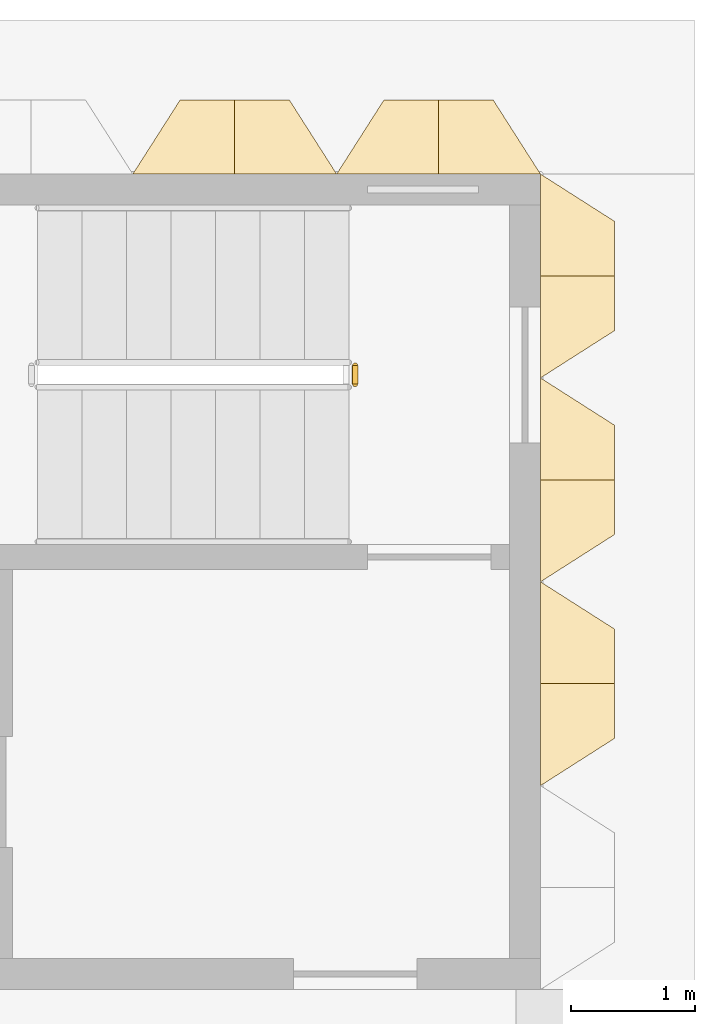
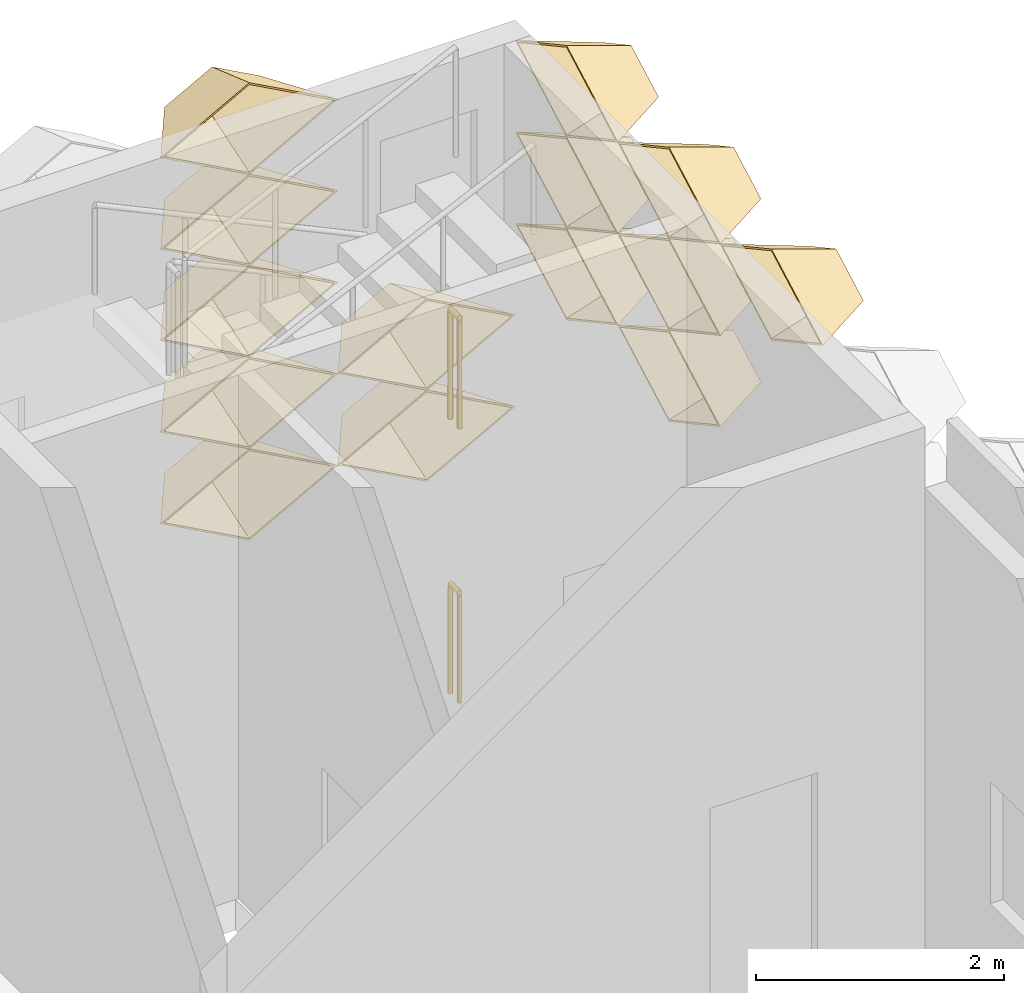
# One storey, part 84 of 85: 14 coverings, 2 railings.
"""IFC4 building model written with IfcOpenShell, lengths in metres."""

from ifc_helpers import new_model, entity, si_unit, direction, frame, origin, origin_2d, place, context, subcontext, project, spatial, circle, extrude, material, layer, layer_set, type_object, element, save


model = new_model("IFC4")

# Units and contexts
model_context = context("Model", 3, precision=1e-05, world=origin(), true_north=direction((0.0, 1.0)))
body_context = subcontext(model_context, "Body", "Model", "MODEL_VIEW")
ifc_project = project(units=[si_unit("LENGTHUNIT", "METRE"), si_unit("AREAUNIT", "SQUARE_METRE"), si_unit("VOLUMEUNIT", "CUBIC_METRE"), si_unit("PLANEANGLEUNIT", "RADIAN"), si_unit("MASSUNIT", "GRAM", prefix="KILO")], contexts=[model_context])

# Site, building, storey
site_placement = place(None, origin())
site = spatial("IfcSite", under=ifc_project, at=site_placement, CompositionType="ELEMENT")
building_placement = place(site_placement, origin())
building = spatial("IfcBuilding", under=site, at=building_placement, Name="Lantern Court Research Institute", CompositionType="ELEMENT")
storey_placement = place(building_placement, origin())
storey = spatial("IfcBuildingStorey", under=building, at=storey_placement, Name="L00", CompositionType="ELEMENT", Elevation=0.0)

# Coverings
ifc_material_1 = material(Name="Anodised aluminium", Category="aluminium")
ifc_layer = layer(ifc_material_1, 0.01611328125)
ifc_layer_set = layer_set([ifc_layer], Name="Anodised aluminium")
covering_type = type_object("IfcCoveringType", Name="Fin cassette 1650 x 900 x 600 aluminium", PredefinedType="CLADDING", material=ifc_layer_set)
covering_1_placement = place(storey_placement, frame((79.199951171875, 96.52490234375, 3.14990234375), z_axis=(1.0, 0.0, 0.0), x_axis=(0.0, 1.0, 0.0)))
cartesian_point_1 = entity("IfcCartesianPoint", [0.824951171875, 0.0])
cartesian_point_2 = entity("IfcCartesianPoint", [0.79150390625, 0.0])
cartesian_point_3 = entity("IfcCartesianPoint", [0.44189453125, 0.0])
cartesian_point_4 = entity("IfcCartesianPoint", [0.43359375, 0.0])
element("IfcCovering", 1, at=covering_1_placement, inside=storey, type_object=covering_type, Name="Fin cassette V6E-L00 4.59", PredefinedType="CLADDING", context=body_context, shape_type="SweptSolid", body=[
    entity("IfcExtrudedAreaSolidTapered", entity("IfcArbitraryProfileDefWithVoids", "AREA", None, entity("IfcPolyline", [cartesian_point_1, entity("IfcCartesianPoint", [0.0, 0.449951171875]), entity("IfcCartesianPoint", [-0.824951171875, 0.0]), entity("IfcCartesianPoint", [0.0, -0.449951171875]), cartesian_point_1]), [entity("IfcPolyline", [cartesian_point_2, entity("IfcCartesianPoint", [0.0, 0.431884765625]), entity("IfcCartesianPoint", [-0.79150390625, 0.0]), entity("IfcCartesianPoint", [0.0, -0.431884765625]), cartesian_point_2])]), entity("IfcAxis2Placement3D", entity("IfcCartesianPoint", [0.0, 0.0, 0.0])), entity("IfcDirection", [0.0, 0.0, 1.0]), 0.60009765625, entity("IfcArbitraryProfileDefWithVoids", "AREA", None, entity("IfcPolyline", [cartesian_point_3, entity("IfcCartesianPoint", [0.0, 0.240966796875]), entity("IfcCartesianPoint", [-0.44189453125, 0.0]), entity("IfcCartesianPoint", [0.0, -0.240966796875]), cartesian_point_3]), [entity("IfcPolyline", [cartesian_point_4, entity("IfcCartesianPoint", [0.0, 0.236572265625]), entity("IfcCartesianPoint", [-0.43359375, 0.0]), entity("IfcCartesianPoint", [0.0, -0.236572265625]), cartesian_point_4])])),
])
covering_2_placement = place(storey_placement, frame((79.199951171875, 98.175048828125, 3.14990234375), z_axis=(1.0, 0.0, 0.0), x_axis=(0.0, 1.0, 0.0)))
cartesian_point_5 = entity("IfcCartesianPoint", [0.824951171875, 0.0])
cartesian_point_6 = entity("IfcCartesianPoint", [0.79150390625, 0.0])
cartesian_point_7 = entity("IfcCartesianPoint", [0.44189453125, 0.0])
cartesian_point_8 = entity("IfcCartesianPoint", [0.43359375, 0.0])
element("IfcCovering", 2, at=covering_2_placement, inside=storey, type_object=covering_type, Name="Fin cassette V6E-L00 4.60", PredefinedType="CLADDING", context=body_context, shape_type="SweptSolid", body=[
    entity("IfcExtrudedAreaSolidTapered", entity("IfcArbitraryProfileDefWithVoids", "AREA", None, entity("IfcPolyline", [cartesian_point_5, entity("IfcCartesianPoint", [0.0, 0.449951171875]), entity("IfcCartesianPoint", [-0.824951171875, 0.0]), entity("IfcCartesianPoint", [0.0, -0.449951171875]), cartesian_point_5]), [entity("IfcPolyline", [cartesian_point_6, entity("IfcCartesianPoint", [0.0, 0.431884765625]), entity("IfcCartesianPoint", [-0.79150390625, 0.0]), entity("IfcCartesianPoint", [0.0, -0.431884765625]), cartesian_point_6])]), entity("IfcAxis2Placement3D", entity("IfcCartesianPoint", [0.0, 0.0, 0.0])), entity("IfcDirection", [0.0, 0.0, 1.0]), 0.60009765625, entity("IfcArbitraryProfileDefWithVoids", "AREA", None, entity("IfcPolyline", [cartesian_point_7, entity("IfcCartesianPoint", [0.0, 0.240966796875]), entity("IfcCartesianPoint", [-0.44189453125, 0.0]), entity("IfcCartesianPoint", [0.0, -0.240966796875]), cartesian_point_7]), [entity("IfcPolyline", [cartesian_point_8, entity("IfcCartesianPoint", [0.0, 0.236572265625]), entity("IfcCartesianPoint", [-0.43359375, 0.0]), entity("IfcCartesianPoint", [0.0, -0.236572265625]), cartesian_point_8])])),
])
covering_3_placement = place(storey_placement, frame((79.199951171875, 96.52490234375, 4.050048828125), z_axis=(1.0, 0.0, 0.0), x_axis=(0.0, 1.0, 0.0)))
cartesian_point_9 = entity("IfcCartesianPoint", [0.824951171875, 0.0])
cartesian_point_10 = entity("IfcCartesianPoint", [0.79150390625, 0.0])
cartesian_point_11 = entity("IfcCartesianPoint", [0.44189453125, 0.0])
cartesian_point_12 = entity("IfcCartesianPoint", [0.43359375, 0.0])
element("IfcCovering", 3, at=covering_3_placement, inside=storey, type_object=covering_type, Name="Fin cassette V6E-L00 5.59", PredefinedType="CLADDING", context=body_context, shape_type="SweptSolid", body=[
    entity("IfcExtrudedAreaSolidTapered", entity("IfcArbitraryProfileDefWithVoids", "AREA", None, entity("IfcPolyline", [cartesian_point_9, entity("IfcCartesianPoint", [0.0, 0.449951171875]), entity("IfcCartesianPoint", [-0.824951171875, 0.0]), entity("IfcCartesianPoint", [0.0, -0.449951171875]), cartesian_point_9]), [entity("IfcPolyline", [cartesian_point_10, entity("IfcCartesianPoint", [0.0, 0.431884765625]), entity("IfcCartesianPoint", [-0.79150390625, 0.0]), entity("IfcCartesianPoint", [0.0, -0.431884765625]), cartesian_point_10])]), entity("IfcAxis2Placement3D", entity("IfcCartesianPoint", [0.0, 0.0, 0.0])), entity("IfcDirection", [0.0, 0.0, 1.0]), 0.60009765625, entity("IfcArbitraryProfileDefWithVoids", "AREA", None, entity("IfcPolyline", [cartesian_point_11, entity("IfcCartesianPoint", [0.0, 0.240966796875]), entity("IfcCartesianPoint", [-0.44189453125, 0.0]), entity("IfcCartesianPoint", [0.0, -0.240966796875]), cartesian_point_11]), [entity("IfcPolyline", [cartesian_point_12, entity("IfcCartesianPoint", [0.0, 0.236572265625]), entity("IfcCartesianPoint", [-0.43359375, 0.0]), entity("IfcCartesianPoint", [0.0, -0.236572265625]), cartesian_point_12])])),
])
covering_4_placement = place(storey_placement, frame((79.199951171875, 98.175048828125, 4.050048828125), z_axis=(1.0, 0.0, 0.0), x_axis=(0.0, 1.0, 0.0)))
cartesian_point_13 = entity("IfcCartesianPoint", [0.824951171875, 0.0])
cartesian_point_14 = entity("IfcCartesianPoint", [0.79150390625, 0.0])
cartesian_point_15 = entity("IfcCartesianPoint", [0.44189453125, 0.0])
cartesian_point_16 = entity("IfcCartesianPoint", [0.43359375, 0.0])
element("IfcCovering", 4, at=covering_4_placement, inside=storey, type_object=covering_type, Name="Fin cassette V6E-L00 5.60", PredefinedType="CLADDING", context=body_context, shape_type="SweptSolid", body=[
    entity("IfcExtrudedAreaSolidTapered", entity("IfcArbitraryProfileDefWithVoids", "AREA", None, entity("IfcPolyline", [cartesian_point_13, entity("IfcCartesianPoint", [0.0, 0.449951171875]), entity("IfcCartesianPoint", [-0.824951171875, 0.0]), entity("IfcCartesianPoint", [0.0, -0.449951171875]), cartesian_point_13]), [entity("IfcPolyline", [cartesian_point_14, entity("IfcCartesianPoint", [0.0, 0.431884765625]), entity("IfcCartesianPoint", [-0.79150390625, 0.0]), entity("IfcCartesianPoint", [0.0, -0.431884765625]), cartesian_point_14])]), entity("IfcAxis2Placement3D", entity("IfcCartesianPoint", [0.0, 0.0, 0.0])), entity("IfcDirection", [0.0, 0.0, 1.0]), 0.60009765625, entity("IfcArbitraryProfileDefWithVoids", "AREA", None, entity("IfcPolyline", [cartesian_point_15, entity("IfcCartesianPoint", [0.0, 0.240966796875]), entity("IfcCartesianPoint", [-0.44189453125, 0.0]), entity("IfcCartesianPoint", [0.0, -0.240966796875]), cartesian_point_15]), [entity("IfcPolyline", [cartesian_point_16, entity("IfcCartesianPoint", [0.0, 0.236572265625]), entity("IfcCartesianPoint", [-0.43359375, 0.0]), entity("IfcCartesianPoint", [0.0, -0.236572265625]), cartesian_point_16])])),
])
covering_5_placement = place(storey_placement, frame((79.199951171875, 94.875, 4.949951171875), z_axis=(1.0, 0.0, 0.0), x_axis=(0.0, 1.0, 0.0)))
cartesian_point_17 = entity("IfcCartesianPoint", [0.824951171875, 0.0])
cartesian_point_18 = entity("IfcCartesianPoint", [0.79150390625, 0.0])
cartesian_point_19 = entity("IfcCartesianPoint", [0.44189453125, 0.0])
cartesian_point_20 = entity("IfcCartesianPoint", [0.43359375, 0.0])
element("IfcCovering", 5, at=covering_5_placement, inside=storey, type_object=covering_type, Name="Fin cassette V6E-L00 6.58", PredefinedType="CLADDING", context=body_context, shape_type="SweptSolid", body=[
    entity("IfcExtrudedAreaSolidTapered", entity("IfcArbitraryProfileDefWithVoids", "AREA", None, entity("IfcPolyline", [cartesian_point_17, entity("IfcCartesianPoint", [0.0, 0.449951171875]), entity("IfcCartesianPoint", [-0.824951171875, 0.0]), entity("IfcCartesianPoint", [0.0, -0.449951171875]), cartesian_point_17]), [entity("IfcPolyline", [cartesian_point_18, entity("IfcCartesianPoint", [0.0, 0.431884765625]), entity("IfcCartesianPoint", [-0.79150390625, 0.0]), entity("IfcCartesianPoint", [0.0, -0.431884765625]), cartesian_point_18])]), entity("IfcAxis2Placement3D", entity("IfcCartesianPoint", [0.0, 0.0, 0.0])), entity("IfcDirection", [0.0, 0.0, 1.0]), 0.60009765625, entity("IfcArbitraryProfileDefWithVoids", "AREA", None, entity("IfcPolyline", [cartesian_point_19, entity("IfcCartesianPoint", [0.0, 0.240966796875]), entity("IfcCartesianPoint", [-0.44189453125, 0.0]), entity("IfcCartesianPoint", [0.0, -0.240966796875]), cartesian_point_19]), [entity("IfcPolyline", [cartesian_point_20, entity("IfcCartesianPoint", [0.0, 0.236572265625]), entity("IfcCartesianPoint", [-0.43359375, 0.0]), entity("IfcCartesianPoint", [0.0, -0.236572265625]), cartesian_point_20])])),
])
covering_6_placement = place(storey_placement, frame((79.199951171875, 96.52490234375, 4.949951171875), z_axis=(1.0, 0.0, 0.0), x_axis=(0.0, 1.0, 0.0)))
cartesian_point_21 = entity("IfcCartesianPoint", [0.824951171875, 0.0])
cartesian_point_22 = entity("IfcCartesianPoint", [0.79150390625, 0.0])
cartesian_point_23 = entity("IfcCartesianPoint", [0.44189453125, 0.0])
cartesian_point_24 = entity("IfcCartesianPoint", [0.43359375, 0.0])
element("IfcCovering", 6, at=covering_6_placement, inside=storey, type_object=covering_type, Name="Fin cassette V6E-L00 6.59", PredefinedType="CLADDING", context=body_context, shape_type="SweptSolid", body=[
    entity("IfcExtrudedAreaSolidTapered", entity("IfcArbitraryProfileDefWithVoids", "AREA", None, entity("IfcPolyline", [cartesian_point_21, entity("IfcCartesianPoint", [0.0, 0.449951171875]), entity("IfcCartesianPoint", [-0.824951171875, 0.0]), entity("IfcCartesianPoint", [0.0, -0.449951171875]), cartesian_point_21]), [entity("IfcPolyline", [cartesian_point_22, entity("IfcCartesianPoint", [0.0, 0.431884765625]), entity("IfcCartesianPoint", [-0.79150390625, 0.0]), entity("IfcCartesianPoint", [0.0, -0.431884765625]), cartesian_point_22])]), entity("IfcAxis2Placement3D", entity("IfcCartesianPoint", [0.0, 0.0, 0.0])), entity("IfcDirection", [0.0, 0.0, 1.0]), 0.60009765625, entity("IfcArbitraryProfileDefWithVoids", "AREA", None, entity("IfcPolyline", [cartesian_point_23, entity("IfcCartesianPoint", [0.0, 0.240966796875]), entity("IfcCartesianPoint", [-0.44189453125, 0.0]), entity("IfcCartesianPoint", [0.0, -0.240966796875]), cartesian_point_23]), [entity("IfcPolyline", [cartesian_point_24, entity("IfcCartesianPoint", [0.0, 0.236572265625]), entity("IfcCartesianPoint", [-0.43359375, 0.0]), entity("IfcCartesianPoint", [0.0, -0.236572265625]), cartesian_point_24])])),
])
covering_7_placement = place(storey_placement, frame((79.199951171875, 98.175048828125, 4.949951171875), z_axis=(1.0, 0.0, 0.0), x_axis=(0.0, 1.0, 0.0)))
cartesian_point_25 = entity("IfcCartesianPoint", [0.824951171875, 0.0])
cartesian_point_26 = entity("IfcCartesianPoint", [0.79150390625, 0.0])
cartesian_point_27 = entity("IfcCartesianPoint", [0.44189453125, 0.0])
cartesian_point_28 = entity("IfcCartesianPoint", [0.43359375, 0.0])
element("IfcCovering", 7, at=covering_7_placement, inside=storey, type_object=covering_type, Name="Fin cassette V6E-L00 6.60", PredefinedType="CLADDING", context=body_context, shape_type="SweptSolid", body=[
    entity("IfcExtrudedAreaSolidTapered", entity("IfcArbitraryProfileDefWithVoids", "AREA", None, entity("IfcPolyline", [cartesian_point_25, entity("IfcCartesianPoint", [0.0, 0.449951171875]), entity("IfcCartesianPoint", [-0.824951171875, 0.0]), entity("IfcCartesianPoint", [0.0, -0.449951171875]), cartesian_point_25]), [entity("IfcPolyline", [cartesian_point_26, entity("IfcCartesianPoint", [0.0, 0.431884765625]), entity("IfcCartesianPoint", [-0.79150390625, 0.0]), entity("IfcCartesianPoint", [0.0, -0.431884765625]), cartesian_point_26])]), entity("IfcAxis2Placement3D", entity("IfcCartesianPoint", [0.0, 0.0, 0.0])), entity("IfcDirection", [0.0, 0.0, 1.0]), 0.60009765625, entity("IfcArbitraryProfileDefWithVoids", "AREA", None, entity("IfcPolyline", [cartesian_point_27, entity("IfcCartesianPoint", [0.0, 0.240966796875]), entity("IfcCartesianPoint", [-0.44189453125, 0.0]), entity("IfcCartesianPoint", [0.0, -0.240966796875]), cartesian_point_27]), [entity("IfcPolyline", [cartesian_point_28, entity("IfcCartesianPoint", [0.0, 0.236572265625]), entity("IfcCartesianPoint", [-0.43359375, 0.0]), entity("IfcCartesianPoint", [0.0, -0.236572265625]), cartesian_point_28])])),
])
covering_8_placement = place(storey_placement, frame((76.72509765625, 99.0, 1.35009765625), z_axis=(0.0, 1.0, 0.0), x_axis=(-1.0, 0.0, 0.0)))
cartesian_point_29 = entity("IfcCartesianPoint", [0.824951171875, 0.0])
cartesian_point_30 = entity("IfcCartesianPoint", [0.79150390625, 0.0])
cartesian_point_31 = entity("IfcCartesianPoint", [0.44189453125, 0.0])
cartesian_point_32 = entity("IfcCartesianPoint", [0.43359375, 0.0])
element("IfcCovering", 8, at=covering_8_placement, inside=storey, type_object=covering_type, Name="Fin cassette V6N-L00 2.47", PredefinedType="CLADDING", context=body_context, shape_type="SweptSolid", body=[
    entity("IfcExtrudedAreaSolidTapered", entity("IfcArbitraryProfileDefWithVoids", "AREA", None, entity("IfcPolyline", [cartesian_point_29, entity("IfcCartesianPoint", [0.0, 0.449951171875]), entity("IfcCartesianPoint", [-0.824951171875, 0.0]), entity("IfcCartesianPoint", [0.0, -0.449951171875]), cartesian_point_29]), [entity("IfcPolyline", [cartesian_point_30, entity("IfcCartesianPoint", [0.0, 0.431884765625]), entity("IfcCartesianPoint", [-0.79150390625, 0.0]), entity("IfcCartesianPoint", [0.0, -0.431884765625]), cartesian_point_30])]), entity("IfcAxis2Placement3D", entity("IfcCartesianPoint", [0.0, 0.0, 0.0])), entity("IfcDirection", [0.0, 0.0, 1.0]), 0.60009765625, entity("IfcArbitraryProfileDefWithVoids", "AREA", None, entity("IfcPolyline", [cartesian_point_31, entity("IfcCartesianPoint", [0.0, 0.240966796875]), entity("IfcCartesianPoint", [-0.44189453125, 0.0]), entity("IfcCartesianPoint", [0.0, -0.240966796875]), cartesian_point_31]), [entity("IfcPolyline", [cartesian_point_32, entity("IfcCartesianPoint", [0.0, 0.236572265625]), entity("IfcCartesianPoint", [-0.43359375, 0.0]), entity("IfcCartesianPoint", [0.0, -0.236572265625]), cartesian_point_32])])),
])
covering_9_placement = place(storey_placement, frame((78.375, 99.0, 1.35009765625), z_axis=(0.0, 1.0, 0.0), x_axis=(-1.0, 0.0, 0.0)))
cartesian_point_33 = entity("IfcCartesianPoint", [0.824951171875, 0.0])
cartesian_point_34 = entity("IfcCartesianPoint", [0.79150390625, 0.0])
cartesian_point_35 = entity("IfcCartesianPoint", [0.44189453125, 0.0])
cartesian_point_36 = entity("IfcCartesianPoint", [0.43359375, 0.0])
element("IfcCovering", 9, at=covering_9_placement, inside=storey, type_object=covering_type, Name="Fin cassette V6N-L00 2.48", PredefinedType="CLADDING", context=body_context, shape_type="SweptSolid", body=[
    entity("IfcExtrudedAreaSolidTapered", entity("IfcArbitraryProfileDefWithVoids", "AREA", None, entity("IfcPolyline", [cartesian_point_33, entity("IfcCartesianPoint", [0.0, 0.449951171875]), entity("IfcCartesianPoint", [-0.824951171875, 0.0]), entity("IfcCartesianPoint", [0.0, -0.449951171875]), cartesian_point_33]), [entity("IfcPolyline", [cartesian_point_34, entity("IfcCartesianPoint", [0.0, 0.431884765625]), entity("IfcCartesianPoint", [-0.79150390625, 0.0]), entity("IfcCartesianPoint", [0.0, -0.431884765625]), cartesian_point_34])]), entity("IfcAxis2Placement3D", entity("IfcCartesianPoint", [0.0, 0.0, 0.0])), entity("IfcDirection", [0.0, 0.0, 1.0]), 0.60009765625, entity("IfcArbitraryProfileDefWithVoids", "AREA", None, entity("IfcPolyline", [cartesian_point_35, entity("IfcCartesianPoint", [0.0, 0.240966796875]), entity("IfcCartesianPoint", [-0.44189453125, 0.0]), entity("IfcCartesianPoint", [0.0, -0.240966796875]), cartesian_point_35]), [entity("IfcPolyline", [cartesian_point_36, entity("IfcCartesianPoint", [0.0, 0.236572265625]), entity("IfcCartesianPoint", [-0.43359375, 0.0]), entity("IfcCartesianPoint", [0.0, -0.236572265625]), cartesian_point_36])])),
])
covering_10_placement = place(storey_placement, frame((76.72509765625, 99.0, 2.25), z_axis=(0.0, 1.0, 0.0), x_axis=(-1.0, 0.0, 0.0)))
cartesian_point_37 = entity("IfcCartesianPoint", [0.824951171875, 0.0])
cartesian_point_38 = entity("IfcCartesianPoint", [0.79150390625, 0.0])
cartesian_point_39 = entity("IfcCartesianPoint", [0.44189453125, 0.0])
cartesian_point_40 = entity("IfcCartesianPoint", [0.43359375, 0.0])
element("IfcCovering", 10, at=covering_10_placement, inside=storey, type_object=covering_type, Name="Fin cassette V6N-L00 3.47", PredefinedType="CLADDING", context=body_context, shape_type="SweptSolid", body=[
    entity("IfcExtrudedAreaSolidTapered", entity("IfcArbitraryProfileDefWithVoids", "AREA", None, entity("IfcPolyline", [cartesian_point_37, entity("IfcCartesianPoint", [0.0, 0.449951171875]), entity("IfcCartesianPoint", [-0.824951171875, 0.0]), entity("IfcCartesianPoint", [0.0, -0.449951171875]), cartesian_point_37]), [entity("IfcPolyline", [cartesian_point_38, entity("IfcCartesianPoint", [0.0, 0.431884765625]), entity("IfcCartesianPoint", [-0.79150390625, 0.0]), entity("IfcCartesianPoint", [0.0, -0.431884765625]), cartesian_point_38])]), entity("IfcAxis2Placement3D", entity("IfcCartesianPoint", [0.0, 0.0, 0.0])), entity("IfcDirection", [0.0, 0.0, 1.0]), 0.60009765625, entity("IfcArbitraryProfileDefWithVoids", "AREA", None, entity("IfcPolyline", [cartesian_point_39, entity("IfcCartesianPoint", [0.0, 0.240966796875]), entity("IfcCartesianPoint", [-0.44189453125, 0.0]), entity("IfcCartesianPoint", [0.0, -0.240966796875]), cartesian_point_39]), [entity("IfcPolyline", [cartesian_point_40, entity("IfcCartesianPoint", [0.0, 0.236572265625]), entity("IfcCartesianPoint", [-0.43359375, 0.0]), entity("IfcCartesianPoint", [0.0, -0.236572265625]), cartesian_point_40])])),
])
covering_11_placement = place(storey_placement, frame((78.375, 99.0, 2.25), z_axis=(0.0, 1.0, 0.0), x_axis=(-1.0, 0.0, 0.0)))
cartesian_point_41 = entity("IfcCartesianPoint", [0.824951171875, 0.0])
cartesian_point_42 = entity("IfcCartesianPoint", [0.79150390625, 0.0])
cartesian_point_43 = entity("IfcCartesianPoint", [0.44189453125, 0.0])
cartesian_point_44 = entity("IfcCartesianPoint", [0.43359375, 0.0])
element("IfcCovering", 11, at=covering_11_placement, inside=storey, type_object=covering_type, Name="Fin cassette V6N-L00 3.48", PredefinedType="CLADDING", context=body_context, shape_type="SweptSolid", body=[
    entity("IfcExtrudedAreaSolidTapered", entity("IfcArbitraryProfileDefWithVoids", "AREA", None, entity("IfcPolyline", [cartesian_point_41, entity("IfcCartesianPoint", [0.0, 0.449951171875]), entity("IfcCartesianPoint", [-0.824951171875, 0.0]), entity("IfcCartesianPoint", [0.0, -0.449951171875]), cartesian_point_41]), [entity("IfcPolyline", [cartesian_point_42, entity("IfcCartesianPoint", [0.0, 0.431884765625]), entity("IfcCartesianPoint", [-0.79150390625, 0.0]), entity("IfcCartesianPoint", [0.0, -0.431884765625]), cartesian_point_42])]), entity("IfcAxis2Placement3D", entity("IfcCartesianPoint", [0.0, 0.0, 0.0])), entity("IfcDirection", [0.0, 0.0, 1.0]), 0.60009765625, entity("IfcArbitraryProfileDefWithVoids", "AREA", None, entity("IfcPolyline", [cartesian_point_43, entity("IfcCartesianPoint", [0.0, 0.240966796875]), entity("IfcCartesianPoint", [-0.44189453125, 0.0]), entity("IfcCartesianPoint", [0.0, -0.240966796875]), cartesian_point_43]), [entity("IfcPolyline", [cartesian_point_44, entity("IfcCartesianPoint", [0.0, 0.236572265625]), entity("IfcCartesianPoint", [-0.43359375, 0.0]), entity("IfcCartesianPoint", [0.0, -0.236572265625]), cartesian_point_44])])),
])
covering_12_placement = place(storey_placement, frame((76.72509765625, 99.0, 3.14990234375), z_axis=(0.0, 1.0, 0.0), x_axis=(-1.0, 0.0, 0.0)))
cartesian_point_45 = entity("IfcCartesianPoint", [0.824951171875, 0.0])
cartesian_point_46 = entity("IfcCartesianPoint", [0.79150390625, 0.0])
cartesian_point_47 = entity("IfcCartesianPoint", [0.44189453125, 0.0])
cartesian_point_48 = entity("IfcCartesianPoint", [0.43359375, 0.0])
element("IfcCovering", 12, at=covering_12_placement, inside=storey, type_object=covering_type, Name="Fin cassette V6N-L00 4.47", PredefinedType="CLADDING", context=body_context, shape_type="SweptSolid", body=[
    entity("IfcExtrudedAreaSolidTapered", entity("IfcArbitraryProfileDefWithVoids", "AREA", None, entity("IfcPolyline", [cartesian_point_45, entity("IfcCartesianPoint", [0.0, 0.449951171875]), entity("IfcCartesianPoint", [-0.824951171875, 0.0]), entity("IfcCartesianPoint", [0.0, -0.449951171875]), cartesian_point_45]), [entity("IfcPolyline", [cartesian_point_46, entity("IfcCartesianPoint", [0.0, 0.431884765625]), entity("IfcCartesianPoint", [-0.79150390625, 0.0]), entity("IfcCartesianPoint", [0.0, -0.431884765625]), cartesian_point_46])]), entity("IfcAxis2Placement3D", entity("IfcCartesianPoint", [0.0, 0.0, 0.0])), entity("IfcDirection", [0.0, 0.0, 1.0]), 0.60009765625, entity("IfcArbitraryProfileDefWithVoids", "AREA", None, entity("IfcPolyline", [cartesian_point_47, entity("IfcCartesianPoint", [0.0, 0.240966796875]), entity("IfcCartesianPoint", [-0.44189453125, 0.0]), entity("IfcCartesianPoint", [0.0, -0.240966796875]), cartesian_point_47]), [entity("IfcPolyline", [cartesian_point_48, entity("IfcCartesianPoint", [0.0, 0.236572265625]), entity("IfcCartesianPoint", [-0.43359375, 0.0]), entity("IfcCartesianPoint", [0.0, -0.236572265625]), cartesian_point_48])])),
])
covering_13_placement = place(storey_placement, frame((76.72509765625, 99.0, 4.050048828125), z_axis=(0.0, 1.0, 0.0), x_axis=(-1.0, 0.0, 0.0)))
cartesian_point_49 = entity("IfcCartesianPoint", [0.824951171875, 0.0])
cartesian_point_50 = entity("IfcCartesianPoint", [0.79150390625, 0.0])
cartesian_point_51 = entity("IfcCartesianPoint", [0.44189453125, 0.0])
cartesian_point_52 = entity("IfcCartesianPoint", [0.43359375, 0.0])
element("IfcCovering", 13, at=covering_13_placement, inside=storey, type_object=covering_type, Name="Fin cassette V6N-L00 5.47", PredefinedType="CLADDING", context=body_context, shape_type="SweptSolid", body=[
    entity("IfcExtrudedAreaSolidTapered", entity("IfcArbitraryProfileDefWithVoids", "AREA", None, entity("IfcPolyline", [cartesian_point_49, entity("IfcCartesianPoint", [0.0, 0.449951171875]), entity("IfcCartesianPoint", [-0.824951171875, 0.0]), entity("IfcCartesianPoint", [0.0, -0.449951171875]), cartesian_point_49]), [entity("IfcPolyline", [cartesian_point_50, entity("IfcCartesianPoint", [0.0, 0.431884765625]), entity("IfcCartesianPoint", [-0.79150390625, 0.0]), entity("IfcCartesianPoint", [0.0, -0.431884765625]), cartesian_point_50])]), entity("IfcAxis2Placement3D", entity("IfcCartesianPoint", [0.0, 0.0, 0.0])), entity("IfcDirection", [0.0, 0.0, 1.0]), 0.60009765625, entity("IfcArbitraryProfileDefWithVoids", "AREA", None, entity("IfcPolyline", [cartesian_point_51, entity("IfcCartesianPoint", [0.0, 0.240966796875]), entity("IfcCartesianPoint", [-0.44189453125, 0.0]), entity("IfcCartesianPoint", [0.0, -0.240966796875]), cartesian_point_51]), [entity("IfcPolyline", [cartesian_point_52, entity("IfcCartesianPoint", [0.0, 0.236572265625]), entity("IfcCartesianPoint", [-0.43359375, 0.0]), entity("IfcCartesianPoint", [0.0, -0.236572265625]), cartesian_point_52])])),
])
covering_14_placement = place(storey_placement, frame((76.72509765625, 99.0, 4.949951171875), z_axis=(0.0, 1.0, 0.0), x_axis=(-1.0, 0.0, 0.0)))
cartesian_point_53 = entity("IfcCartesianPoint", [0.824951171875, 0.0])
cartesian_point_54 = entity("IfcCartesianPoint", [0.79150390625, 0.0])
cartesian_point_55 = entity("IfcCartesianPoint", [0.44189453125, 0.0])
cartesian_point_56 = entity("IfcCartesianPoint", [0.43359375, 0.0])
element("IfcCovering", 14, at=covering_14_placement, inside=storey, type_object=covering_type, Name="Fin cassette V6N-L00 6.47", PredefinedType="CLADDING", context=body_context, shape_type="SweptSolid", body=[
    entity("IfcExtrudedAreaSolidTapered", entity("IfcArbitraryProfileDefWithVoids", "AREA", None, entity("IfcPolyline", [cartesian_point_53, entity("IfcCartesianPoint", [0.0, 0.449951171875]), entity("IfcCartesianPoint", [-0.824951171875, 0.0]), entity("IfcCartesianPoint", [0.0, -0.449951171875]), cartesian_point_53]), [entity("IfcPolyline", [cartesian_point_54, entity("IfcCartesianPoint", [0.0, 0.431884765625]), entity("IfcCartesianPoint", [-0.79150390625, 0.0]), entity("IfcCartesianPoint", [0.0, -0.431884765625]), cartesian_point_54])]), entity("IfcAxis2Placement3D", entity("IfcCartesianPoint", [0.0, 0.0, 0.0])), entity("IfcDirection", [0.0, 0.0, 1.0]), 0.60009765625, entity("IfcArbitraryProfileDefWithVoids", "AREA", None, entity("IfcPolyline", [cartesian_point_55, entity("IfcCartesianPoint", [0.0, 0.240966796875]), entity("IfcCartesianPoint", [-0.44189453125, 0.0]), entity("IfcCartesianPoint", [0.0, -0.240966796875]), cartesian_point_55]), [entity("IfcPolyline", [cartesian_point_56, entity("IfcCartesianPoint", [0.0, 0.236572265625]), entity("IfcCartesianPoint", [-0.43359375, 0.0]), entity("IfcCartesianPoint", [0.0, -0.236572265625]), cartesian_point_56])])),
])

# Railings
ifc_material_2 = material(Name="Structural steel S355", Category="steel")
railing_type = type_object("IfcRailingType", Name="Stair guard 1100 steel", PredefinedType="GUARDRAIL", material=ifc_material_2)
for number, where, name in (
    (15, (77.699951171875, 97.449951171875, 2.699951171875), "L00 ST-W3 stair guard 4"),
    (16, (77.699951171875, 97.449951171875, 0.0), "L00 ST-W3 stair guard 8"),
):
    element("IfcRailing", number, at=place(storey_placement, frame(where)), inside=storey, type_object=railing_type, Name=name, PredefinedType="GUARDRAIL", context=body_context, shape_type="SweptSolid", body=[
        extrude(circle(Radius=0.02392578125, at=origin_2d()), frame((0.0, 0.0, 1.076171875), z_axis=(0.0, -1.0, 0.0), x_axis=(1.0, 0.0, 0.0)), (0.0, 0.0, 1.0), 0.14990234375),
        extrude(circle(Radius=0.02099609375, at=origin_2d()), origin(), (0.0, 0.0, 1.0), 1.052001953125),
        extrude(circle(Radius=0.02099609375, at=origin_2d()), frame((0.0, -0.14990234375, 0.0)), (0.0, 0.0, 1.0), 1.052001953125),
    ])

save(model, "model.ifc")
